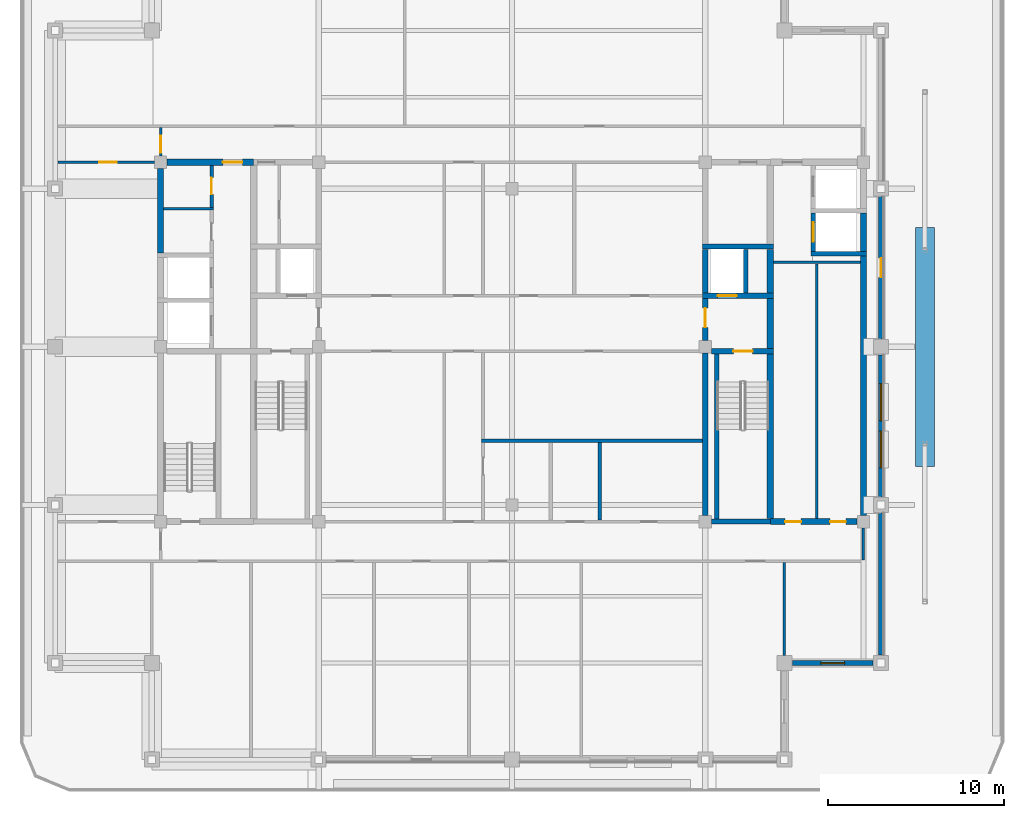
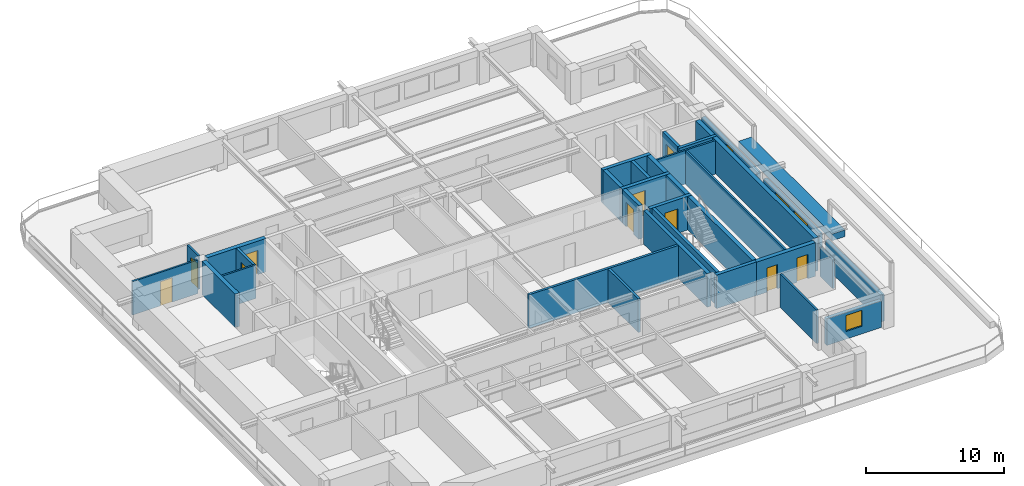
# One storey, part 7 of 14: 34 walls, 11 doors, 3 windows, 14 openings.
"""IFC4 building model written with IfcOpenShell, lengths in metres."""

from ifc_helpers import new_model, si_unit, direction, frame, frame_2d, origin, place, context, subcontext, project, spatial, rectangle, extrude, material, layer, layer_set, type_object, element, fill, save


model = new_model("IFC4")

# Units and contexts
model_context = context("Model", 3, precision=1e-05, world=origin(), true_north=direction((0.0, 1.0)))
body_context = subcontext(model_context, "Body", "Model", "MODEL_VIEW")
ifc_project = project(units=[si_unit("LENGTHUNIT", "METRE"), si_unit("AREAUNIT", "SQUARE_METRE"), si_unit("VOLUMEUNIT", "CUBIC_METRE"), si_unit("PLANEANGLEUNIT", "RADIAN"), si_unit("MASSUNIT", "GRAM", prefix="KILO")], contexts=[model_context])

# Site, building, storey
site_placement = place(None, origin())
site = spatial("IfcSite", under=ifc_project, at=site_placement, CompositionType="ELEMENT")
building_placement = place(site_placement, origin())
building = spatial("IfcBuilding", under=site, at=building_placement, Name="Zulmaris Gate Convention Tower", CompositionType="ELEMENT")
storey_placement = place(building_placement, frame((0.0, 0.0, 254.429931640625)))
storey = spatial("IfcBuildingStorey", under=building, at=storey_placement, Name="L67", CompositionType="ELEMENT", Elevation=254.429931640625)

# Walls
ifc_material_1 = material(Name="Concrete C50/60", Category="concrete")
ifc_layer_1 = layer(ifc_material_1, 0.25, Name="Concrete C50/60")
ifc_layer_set_1 = layer_set([ifc_layer_1], Name="Concrete C50/60")
wall_type_1 = type_object("IfcWallType", Name="CORE-250", PredefinedType="SOLIDWALL", material=ifc_layer_set_1)
wall_1_placement = place(storey_placement, frame((17.02490234375, 5.300048828125, 0.0), z_axis=(0.0, 0.0, 1.0), x_axis=(1.0, 0.0, 0.0)))
element("IfcWall", 1, at=wall_1_placement, inside=storey, type_object=wall_type_1, Name="WL-L67-011", PredefinedType="SOLIDWALL", context=body_context, shape_type="SweptSolid", body=[
    extrude(rectangle(XDim=3.150146484375, YDim=0.25, at=frame_2d((1.5751953125, 0.0))), origin(), (0.0, 0.0, 1.0), 2.97998046875),
])
wall_2_placement = place(storey_placement, frame((11.64990234375, -9.798095703125, 0.0), z_axis=(0.0, 0.0, 1.0), x_axis=(0.0, 1.0, 0.0)))
element("IfcWall", 2, at=wall_2_placement, inside=storey, type_object=wall_type_1, Name="WL-L67-051", PredefinedType="SOLIDWALL", context=body_context, shape_type="SweptSolid", body=[
    extrude(rectangle(XDim=9.39599609375, YDim=0.25, at=frame_2d((4.697998046875, 0.0))), origin(), (0.0, 0.0, 1.0), 2.97998046875),
])
wall_3_placement = place(storey_placement, frame((13.300048828125, 3.052001953125, 0.0), z_axis=(0.0, 0.0, 1.0), x_axis=(0.0, 1.0, 0.0)))
element("IfcWall", 3, at=wall_3_placement, inside=storey, type_object=wall_type_1, Name="WL-L67-052", PredefinedType="SOLIDWALL", context=body_context, shape_type="SweptSolid", body=[
    extrude(rectangle(XDim=2.49609375, YDim=0.25, at=frame_2d((1.248046875, 0.0))), origin(), (0.0, 0.0, 1.0), 2.97998046875),
])

# Wall, opening, door
wall_4_placement = place(storey_placement, frame((17.14990234375, 5.427001953125, 0.0), z_axis=(0.0, 0.0, 1.0), x_axis=(0.0, 1.0, 0.0)))
wall_4 = element("IfcWall", 4, at=wall_4_placement, inside=storey, type_object=wall_type_1, Name="WL-L67-057", PredefinedType="SOLIDWALL", context=body_context, shape_type="SweptSolid", body=[
    extrude(rectangle(XDim=2.196044921875, YDim=0.25, at=frame_2d((1.09814453125, 0.0))), origin(), (0.0, 0.0, 1.0), 2.97998046875),
])
opening_1_placement = place(wall_4_placement, frame((0.548095703125, 0.0, 0.0)))
opening_1 = element("IfcOpeningElement", 5, at=opening_1_placement, cuts=wall_4, Name="Opening D-06", PredefinedType="OPENING", context=body_context, shape_type="SweptSolid", body=[
    extrude(rectangle(XDim=1.10009765625, YDim=2.199951171875, at=frame_2d((0.550048828125, 1.10009765625))), frame((0.0, 0.135009765625, 0.0), z_axis=(0.0, -1.0, 0.0), x_axis=(1.0, 0.0, 0.0)), (0.0, 0.0, 1.0), 0.27001953125),
])
ifc_material_2 = material(Name="Brushed Stainless Steel", Category="steel")
door_type_1 = type_object("IfcDoorType", Name="LD-1100", OperationType="NOTDEFINED", PredefinedType="DOOR", material=ifc_material_2)
door_1_placement = place(opening_1_placement, origin())
door_1 = element("IfcDoor", 6, at=door_1_placement, inside=storey, type_object=door_type_1, Name="L67 Lift Landing Door HP-01 16", OperationType="SLIDING_TO_RIGHT", OverallHeight=2.199951171875, OverallWidth=1.10009765625, PredefinedType="DOOR", context=body_context, shape_type="SweptSolid", body=[
    extrude(rectangle(XDim=1.10009765625, YDim=2.199951171875, at=frame_2d((0.550048828125, 1.10009765625))), frame((0.0, 0.02490234375, 0.0), z_axis=(0.0, -1.0, 0.0), x_axis=(1.0, 0.0, 0.0)), (0.0, 0.0, 1.0), 0.050048828125),
])
fill(opening_1, door_1)

# Wall
ifc_layer_2 = layer(ifc_material_1, 0.300048828125, Name="Concrete C50/60")
ifc_layer_set_2 = layer_set([ifc_layer_2], Name="Concrete C50/60")
wall_type_2 = type_object("IfcWallType", Name="CORE-300", PredefinedType="SHEAR", material=ifc_layer_set_2)
wall_5_placement = place(storey_placement, frame((11.35400390625, -9.949951171875, 0.0), z_axis=(0.0, 0.0, 1.0), x_axis=(1.0, 0.0, 0.0)))
element("IfcWall", 7, at=wall_5_placement, inside=storey, type_object=wall_type_2, Name="WL-L67-003", PredefinedType="SHEAR", context=body_context, shape_type="SweptSolid", body=[
    extrude(rectangle(XDim=3.345947265625, YDim=0.300048828125, at=frame_2d((1.6728515625, 0.0))), origin(), (0.0, 0.0, 1.0), 2.97998046875),
])

# Wall, opening, door
wall_6_placement = place(storey_placement, frame((11.35400390625, -0.25, 0.0), z_axis=(0.0, 0.0, 1.0), x_axis=(1.0, 0.0, 0.0)))
wall_6 = element("IfcWall", 8, at=wall_6_placement, inside=storey, type_object=wall_type_2, Name="WL-L67-006", PredefinedType="SHEAR", context=body_context, shape_type="SweptSolid", body=[
    extrude(rectangle(XDim=3.52099609375, YDim=0.300048828125, at=frame_2d((1.760498046875, 0.0))), origin(), (0.0, 0.0, 1.0), 2.97998046875),
])
opening_2_placement = place(wall_6_placement, frame((1.24609375, 0.0, 0.0)))
opening_2 = element("IfcOpeningElement", 9, at=opening_2_placement, cuts=wall_6, Name="Opening D-08", PredefinedType="OPENING", context=body_context, shape_type="SweptSolid", body=[
    extrude(rectangle(XDim=1.10009765625, YDim=2.14990234375, at=frame_2d((0.550048828125, 1.074951171875))), frame((0.0, 0.16015625, 0.0), z_axis=(0.0, -1.0, 0.0), x_axis=(1.0, 0.0, 0.0)), (0.0, 0.0, 1.0), 0.320068359375),
])
ifc_material_3 = material(Name="Fire-Rated Steel", Category="steel")
door_type_2 = type_object("IfcDoorType", Name="DR-1100-FD", OperationType="NOTDEFINED", PredefinedType="DOOR", material=ifc_material_3)
door_2_placement = place(opening_2_placement, origin())
door_2 = element("IfcDoor", 10, at=door_2_placement, inside=storey, type_object=door_type_2, Name="L67 Exit Stair ST-2 Door 04", OperationType="SINGLE_SWING_RIGHT", OverallHeight=2.14990234375, OverallWidth=1.10009765625, PredefinedType="DOOR", context=body_context, shape_type="SweptSolid", body=[
    extrude(rectangle(XDim=1.10009765625, YDim=2.14990234375, at=frame_2d((0.550048828125, 1.074951171875))), frame((0.0, 0.02490234375, 0.0), z_axis=(0.0, -1.0, 0.0), x_axis=(1.0, 0.0, 0.0)), (0.0, 0.0, 1.0), 0.050048828125),
])
fill(opening_2, door_2)

wall_7_placement = place(storey_placement, frame((10.85009765625, 2.89990234375, 0.0), z_axis=(0.0, 0.0, 1.0), x_axis=(1.0, 0.0, 0.0)))
wall_7 = element("IfcWall", 11, at=wall_7_placement, inside=storey, type_object=wall_type_2, Name="WL-L67-009", PredefinedType="SHEAR", context=body_context, shape_type="SweptSolid", body=[
    extrude(rectangle(XDim=4.02490234375, YDim=0.300048828125, at=frame_2d((2.012451171875, 0.0))), origin(), (0.0, 0.0, 1.0), 2.97998046875),
])
opening_3_placement = place(wall_7_placement, frame((0.85009765625, 0.0, 0.0)))
opening_3 = element("IfcOpeningElement", 12, at=opening_3_placement, cuts=wall_7, Name="Opening D-06", PredefinedType="OPENING", context=body_context, shape_type="SweptSolid", body=[
    extrude(rectangle(XDim=1.10009765625, YDim=2.199951171875, at=frame_2d((0.550048828125, 1.10009765625))), frame((0.0, 0.16015625, 0.0), z_axis=(0.0, -1.0, 0.0), x_axis=(1.0, 0.0, 0.0)), (0.0, 0.0, 1.0), 0.320068359375),
])
door_3_placement = place(opening_3_placement, origin())
door_3 = element("IfcDoor", 13, at=door_3_placement, inside=storey, type_object=door_type_1, Name="L67 Lift Landing Door LF-02 06", OperationType="SLIDING_TO_RIGHT", OverallHeight=2.199951171875, OverallWidth=1.10009765625, PredefinedType="DOOR", context=body_context, shape_type="SweptSolid", body=[
    extrude(rectangle(XDim=1.10009765625, YDim=2.199951171875, at=frame_2d((0.550048828125, 1.10009765625))), frame((0.0, 0.02490234375, 0.0), z_axis=(0.0, -1.0, 0.0), x_axis=(1.0, 0.0, 0.0)), (0.0, 0.0, 1.0), 0.050048828125),
])
fill(opening_3, door_3)

# Walls
wall_8_placement = place(storey_placement, frame((10.85009765625, 5.699951171875, 0.0), z_axis=(0.0, 0.0, 1.0), x_axis=(1.0, 0.0, 0.0)))
element("IfcWall", 14, at=wall_8_placement, inside=storey, type_object=wall_type_2, Name="WL-L67-013", PredefinedType="SHEAR", context=body_context, shape_type="SweptSolid", body=[
    extrude(rectangle(XDim=4.02490234375, YDim=0.300048828125, at=frame_2d((2.012451171875, 0.0))), origin(), (0.0, 0.0, 1.0), 2.97998046875),
])
wall_9_placement = place(storey_placement, frame((11.0, -9.595947265625, 0.0), z_axis=(0.0, 0.0, 1.0), x_axis=(0.0, 1.0, 0.0)))
element("IfcWall", 15, at=wall_9_placement, inside=storey, type_object=wall_type_2, Name="WL-L67-047", PredefinedType="SHEAR", context=body_context, shape_type="SweptSolid", body=[
    extrude(rectangle(XDim=9.241943359375, YDim=0.300048828125, at=frame_2d((4.62109375, 0.0))), origin(), (0.0, 0.0, 1.0), 2.97998046875),
])

# Wall, opening, door
wall_10_placement = place(storey_placement, frame((11.0, 0.35400390625, 0.0), z_axis=(0.0, 0.0, 1.0), x_axis=(0.0, 1.0, 0.0)))
wall_10 = element("IfcWall", 16, at=wall_10_placement, inside=storey, type_object=wall_type_2, Name="WL-L67-048", PredefinedType="SHEAR", context=body_context, shape_type="SweptSolid", body=[
    extrude(rectangle(XDim=2.39404296875, YDim=0.300048828125, at=frame_2d((1.197021484375, 0.0))), origin(), (0.0, 0.0, 1.0), 2.97998046875),
])
opening_4_placement = place(wall_10_placement, frame((0.74609375, 0.0, 0.0)))
opening_4 = element("IfcOpeningElement", 17, at=opening_4_placement, cuts=wall_10, Name="Opening D-08", PredefinedType="OPENING", context=body_context, shape_type="SweptSolid", body=[
    extrude(rectangle(XDim=1.10009765625, YDim=2.14990234375, at=frame_2d((0.550048828125, 1.074951171875))), frame((0.0, 0.16015625, 0.0), z_axis=(0.0, -1.0, 0.0), x_axis=(1.0, 0.0, 0.0)), (0.0, 0.0, 1.0), 0.320068359375),
])
door_4_placement = place(opening_4_placement, origin())
door_4 = element("IfcDoor", 18, at=door_4_placement, inside=storey, type_object=door_type_2, Name="L67 East Firefighting Lobby Door 05", OperationType="SINGLE_SWING_LEFT", OverallHeight=2.14990234375, OverallWidth=1.10009765625, PredefinedType="DOOR", context=body_context, shape_type="SweptSolid", body=[
    extrude(rectangle(XDim=1.10009765625, YDim=2.14990234375, at=frame_2d((0.550048828125, 1.074951171875))), frame((0.0, 0.02490234375, 0.0), z_axis=(0.0, -1.0, 0.0), x_axis=(1.0, 0.0, 0.0)), (0.0, 0.0, 1.0), 0.050048828125),
])
fill(opening_4, door_4)

# Wall
wall_11_placement = place(storey_placement, frame((11.0, 3.052001953125, 0.0), z_axis=(0.0, 0.0, 1.0), x_axis=(0.0, 1.0, 0.0)))
element("IfcWall", 19, at=wall_11_placement, inside=storey, type_object=wall_type_2, Name="WL-L67-049", PredefinedType="SHEAR", context=body_context, shape_type="SweptSolid", body=[
    extrude(rectangle(XDim=2.49609375, YDim=0.300048828125, at=frame_2d((1.248046875, 0.0))), origin(), (0.0, 0.0, 1.0), 2.97998046875),
])

# Wall, openings, doors
ifc_material_4 = material(Name="Concrete C55/67", Category="concrete")
ifc_layer_3 = layer(ifc_material_4, 0.35009765625, Name="Concrete C55/67")
ifc_layer_set_3 = layer_set([ifc_layer_3], Name="Concrete C55/67")
wall_type_3 = type_object("IfcWallType", Name="CORE-350", PredefinedType="SHEAR", material=ifc_layer_set_3)
wall_12_placement = place(storey_placement, frame((14.699951171875, -9.949951171875, 0.0), z_axis=(0.0, 0.0, 1.0), x_axis=(1.0, 0.0, 0.0)))
wall_12 = element("IfcWall", 20, at=wall_12_placement, inside=storey, type_object=wall_type_3, Name="WL-L67-004", PredefinedType="SHEAR", context=body_context, shape_type="SweptSolid", body=[
    extrude(rectangle(XDim=4.946044921875, YDim=0.35009765625, at=frame_2d((2.47314453125, 0.0))), origin(), (0.0, 0.0, 1.0), 2.97998046875),
])
opening_5_placement = place(wall_12_placement, frame((0.85009765625, 0.0, 0.0)))
opening_5 = element("IfcOpeningElement", 21, at=opening_5_placement, cuts=wall_12, Name="Opening D-12", PredefinedType="OPENING", context=body_context, shape_type="SweptSolid", body=[
    extrude(rectangle(XDim=0.89990234375, YDim=2.14990234375, at=frame_2d((0.449951171875, 1.074951171875))), frame((0.0, 0.18505859375, 0.0), z_axis=(0.0, -1.0, 0.0), x_axis=(1.0, 0.0, 0.0)), (0.0, 0.0, 1.0), 0.3701171875),
])
opening_6_placement = place(wall_12_placement, frame((3.39990234375, 0.0, 0.0)))
opening_6 = element("IfcOpeningElement", 22, at=opening_6_placement, cuts=wall_12, Name="Opening D-12", PredefinedType="OPENING", context=body_context, shape_type="SweptSolid", body=[
    extrude(rectangle(XDim=0.89990234375, YDim=2.14990234375, at=frame_2d((0.449951171875, 1.074951171875))), frame((0.0, 0.18505859375, 0.0), z_axis=(0.0, -1.0, 0.0), x_axis=(1.0, 0.0, 0.0)), (0.0, 0.0, 1.0), 0.3701171875),
])
ifc_material_5 = material(Name="Fire-Rated Timber", Category="wood")
door_type_3 = type_object("IfcDoorType", Name="DR-900-FD", OperationType="NOTDEFINED", PredefinedType="DOOR", material=ifc_material_5)
door_5_placement = place(opening_5_placement, origin())
door_5 = element("IfcDoor", 23, at=door_5_placement, inside=storey, type_object=door_type_3, Name="L67 Service Pantry Door 19", OperationType="SINGLE_SWING_RIGHT", OverallHeight=2.14990234375, OverallWidth=0.89990234375, PredefinedType="DOOR", context=body_context, shape_type="SweptSolid", body=[
    extrude(rectangle(XDim=0.89990234375, YDim=2.14990234375, at=frame_2d((0.449951171875, 1.074951171875))), frame((0.0, 0.02490234375, 0.0), z_axis=(0.0, -1.0, 0.0), x_axis=(1.0, 0.0, 0.0)), (0.0, 0.0, 1.0), 0.050048828125),
])
fill(opening_5, door_5)
door_6_placement = place(opening_6_placement, origin())
door_6 = element("IfcDoor", 24, at=door_6_placement, inside=storey, type_object=door_type_3, Name="L67 Linen Store Door 20", OperationType="SINGLE_SWING_LEFT", OverallHeight=2.14990234375, OverallWidth=0.89990234375, PredefinedType="DOOR", context=body_context, shape_type="SweptSolid", body=[
    extrude(rectangle(XDim=0.89990234375, YDim=2.14990234375, at=frame_2d((0.449951171875, 1.074951171875))), frame((0.0, 0.02490234375, 0.0), z_axis=(0.0, -1.0, 0.0), x_axis=(1.0, 0.0, 0.0)), (0.0, 0.0, 1.0), 0.050048828125),
])
fill(opening_6, door_6)

# Wall, opening, door
wall_13_placement = place(storey_placement, frame((-19.64599609375, 10.5, 0.0), z_axis=(0.0, 0.0, 1.0), x_axis=(1.0, 0.0, 0.0)))
wall_13 = element("IfcWall", 25, at=wall_13_placement, inside=storey, type_object=wall_type_3, Name="WL-L67-015", PredefinedType="SHEAR", context=body_context, shape_type="SweptSolid", body=[
    extrude(rectangle(XDim=4.946044921875, YDim=0.35009765625, at=frame_2d((2.47314453125, 0.0))), origin(), (0.0, 0.0, 1.0), 2.97998046875),
])
opening_7_placement = place(wall_13_placement, frame((3.196044921875, 0.0, 0.0)))
opening_7 = element("IfcOpeningElement", 26, at=opening_7_placement, cuts=wall_13, Name="Opening D-08", PredefinedType="OPENING", context=body_context, shape_type="SweptSolid", body=[
    extrude(rectangle(XDim=1.10009765625, YDim=2.14990234375, at=frame_2d((0.550048828125, 1.074951171875))), frame((0.0, 0.18505859375, 0.0), z_axis=(0.0, -1.0, 0.0), x_axis=(1.0, 0.0, 0.0)), (0.0, 0.0, 1.0), 0.3701171875),
])
door_7_placement = place(opening_7_placement, origin())
door_7 = element("IfcDoor", 27, at=door_7_placement, inside=storey, type_object=door_type_2, Name="L67 High-Rise West Lift Lobby Door 13", OperationType="SINGLE_SWING_RIGHT", OverallHeight=2.14990234375, OverallWidth=1.10009765625, PredefinedType="DOOR", context=body_context, shape_type="SweptSolid", body=[
    extrude(rectangle(XDim=1.10009765625, YDim=2.14990234375, at=frame_2d((0.550048828125, 1.074951171875))), frame((0.0, 0.02490234375, 0.0), z_axis=(0.0, -1.0, 0.0), x_axis=(1.0, 0.0, 0.0)), (0.0, 0.0, 1.0), 0.050048828125),
])
fill(opening_7, door_7)

# Walls
wall_14_placement = place(storey_placement, frame((-20.0, 5.326904296875, 0.0), z_axis=(0.0, 0.0, 1.0), x_axis=(0.0, 1.0, 0.0)))
element("IfcWall", 28, at=wall_14_placement, inside=storey, type_object=wall_type_3, Name="WL-L67-033", PredefinedType="SHEAR", context=body_context, shape_type="SweptSolid", body=[
    extrude(rectangle(XDim=4.819091796875, YDim=0.35009765625, at=frame_2d((2.40966796875, 0.0))), origin(), (0.0, 0.0, 1.0), 2.97998046875),
])
wall_15_placement = place(storey_placement, frame((14.699951171875, -9.77294921875, 0.0), z_axis=(0.0, 0.0, 1.0), x_axis=(0.0, 1.0, 0.0)))
element("IfcWall", 29, at=wall_15_placement, inside=storey, type_object=wall_type_3, Name="WL-L67-053", PredefinedType="SHEAR", context=body_context, shape_type="SweptSolid", body=[
    extrude(rectangle(XDim=9.370849609375, YDim=0.35009765625, at=frame_2d((4.685546875, 0.0))), origin(), (0.0, 0.0, 1.0), 2.97998046875),
])
wall_16_placement = place(storey_placement, frame((14.699951171875, -0.097900390625, 0.0), z_axis=(0.0, 0.0, 1.0), x_axis=(0.0, 1.0, 0.0)))
element("IfcWall", 30, at=wall_16_placement, inside=storey, type_object=wall_type_3, Name="WL-L67-054", PredefinedType="SHEAR", context=body_context, shape_type="SweptSolid", body=[
    extrude(rectangle(XDim=2.845947265625, YDim=0.35009765625, at=frame_2d((1.4228515625, 0.0))), origin(), (0.0, 0.0, 1.0), 2.97998046875),
])
wall_17_placement = place(storey_placement, frame((14.699951171875, 3.052001953125, 0.0), z_axis=(0.0, 0.0, 1.0), x_axis=(0.0, 1.0, 0.0)))
element("IfcWall", 31, at=wall_17_placement, inside=storey, type_object=wall_type_3, Name="WL-L67-055", PredefinedType="SHEAR", context=body_context, shape_type="SweptSolid", body=[
    extrude(rectangle(XDim=2.49609375, YDim=0.35009765625, at=frame_2d((1.248046875, 0.0))), origin(), (0.0, 0.0, 1.0), 2.97998046875),
])
wall_18_placement = place(storey_placement, frame((20.0, -9.595947265625, 0.0), z_axis=(0.0, 0.0, 1.0), x_axis=(0.0, 1.0, 0.0)))
element("IfcWall", 32, at=wall_18_placement, inside=storey, type_object=wall_type_3, Name="WL-L67-059", PredefinedType="SHEAR", context=body_context, shape_type="SweptSolid", body=[
    extrude(rectangle(XDim=14.76904296875, YDim=0.35009765625, at=frame_2d((7.384521484375, 0.0))), origin(), (0.0, 0.0, 1.0), 2.97998046875),
])
wall_19_placement = place(storey_placement, frame((20.0, 5.427001953125, 0.0), z_axis=(0.0, 0.0, 1.0), x_axis=(0.0, 1.0, 0.0)))
element("IfcWall", 33, at=wall_19_placement, inside=storey, type_object=wall_type_3, Name="WL-L67-060", PredefinedType="SHEAR", context=body_context, shape_type="SweptSolid", body=[
    extrude(rectangle(XDim=2.196044921875, YDim=0.35009765625, at=frame_2d((1.09814453125, 0.0))), origin(), (0.0, 0.0, 1.0), 2.97998046875),
])
ifc_material_6 = material(Name="Gypsum Metal Stud Partition")
ifc_layer_4 = layer(ifc_material_6, 0.14990234375, Name="Gypsum Metal Stud Partition")
ifc_layer_set_4 = layer_set([ifc_layer_4], Name="Gypsum Metal Stud Partition")
wall_type_4 = type_object("IfcWallType", Name="PART-150", PredefinedType="PARTITIONING", material=ifc_layer_set_4)
wall_20_placement = place(storey_placement, frame((14.8779296875, 4.800048828125, 0.0), z_axis=(0.0, 0.0, 1.0), x_axis=(1.0, 0.0, 0.0)))
element("IfcWall", 34, at=wall_20_placement, inside=storey, type_object=wall_type_4, Name="WL-L67-025", PredefinedType="PARTITIONING", context=body_context, shape_type="SweptSolid", body=[
    extrude(rectangle(XDim=4.944091796875, YDim=0.14990234375, at=frame_2d((2.47216796875, 0.0))), origin(), (0.0, 0.0, 1.0), 2.97998046875),
])
wall_21_placement = place(storey_placement, frame((-19.822021484375, 7.85009765625, 0.0), z_axis=(0.0, 0.0, 1.0), x_axis=(1.0, 0.0, 0.0)))
element("IfcWall", 35, at=wall_21_placement, inside=storey, type_object=wall_type_4, Name="WL-L67-026", PredefinedType="PARTITIONING", context=body_context, shape_type="SweptSolid", body=[
    extrude(rectangle(XDim=2.822021484375, YDim=0.14990234375, at=frame_2d((1.4111328125, 0.0))), origin(), (0.0, 0.0, 1.0), 2.97998046875),
])

# Wall, opening, door
wall_22_placement = place(storey_placement, frame((-25.8349609375, 10.5, 0.0), z_axis=(0.0, 0.0, 1.0), x_axis=(1.0, 0.0, 0.0)))
wall_22 = element("IfcWall", 36, at=wall_22_placement, inside=storey, type_object=wall_type_4, Name="WL-L67-027", PredefinedType="PARTITIONING", context=body_context, shape_type="SweptSolid", body=[
    extrude(rectangle(XDim=5.47900390625, YDim=0.14990234375, at=frame_2d((2.739501953125, 0.0))), origin(), (0.0, 0.0, 1.0), 2.97998046875),
])
opening_8_placement = place(wall_22_placement, frame((2.3349609375, 0.0, 0.0)))
opening_8 = element("IfcOpeningElement", 37, at=opening_8_placement, cuts=wall_22, Name="Opening D-10", PredefinedType="OPENING", context=body_context, shape_type="SweptSolid", body=[
    extrude(rectangle(XDim=1.0, YDim=2.14990234375, at=frame_2d((0.5, 1.074951171875))), frame((0.0, 0.0849609375, 0.0), z_axis=(0.0, -1.0, 0.0), x_axis=(1.0, 0.0, 0.0)), (0.0, 0.0, 1.0), 0.169921875),
])
door_type_4 = type_object("IfcDoorType", Name="DR-1000-FD", OperationType="NOTDEFINED", PredefinedType="DOOR", material=ifc_material_5)
door_8_placement = place(opening_8_placement, origin())
door_8 = element("IfcDoor", 38, at=door_8_placement, inside=storey, type_object=door_type_4, Name="L67 West Workplace North Door 42", OperationType="SINGLE_SWING_LEFT", OverallHeight=2.14990234375, OverallWidth=1.0, PredefinedType="DOOR", context=body_context, shape_type="SweptSolid", body=[
    extrude(rectangle(XDim=1.0, YDim=2.14990234375, at=frame_2d((0.5, 1.074951171875))), frame((0.0, 0.02490234375, 0.0), z_axis=(0.0, -1.0, 0.0), x_axis=(1.0, 0.0, 0.0)), (0.0, 0.0, 1.0), 0.050048828125),
])
fill(opening_8, door_8)

wall_23_placement = place(storey_placement, frame((-20.0, 10.85595703125, 0.0), z_axis=(0.0, 0.0, 1.0), x_axis=(0.0, 1.0, 0.0)))
wall_23 = element("IfcWall", 39, at=wall_23_placement, inside=storey, type_object=wall_type_4, Name="WL-L67-064", PredefinedType="PARTITIONING", context=body_context, shape_type="SweptSolid", body=[
    extrude(rectangle(XDim=1.615966796875, YDim=0.14990234375, at=frame_2d((0.80810546875, 0.0))), origin(), (0.0, 0.0, 1.0), 2.97998046875),
])
opening_9_placement = place(wall_23_placement, frame((0.198974609375, 0.0, 0.0)))
opening_9 = element("IfcOpeningElement", 40, at=opening_9_placement, cuts=wall_23, Name="Opening D-11", PredefinedType="OPENING", context=body_context, shape_type="SweptSolid", body=[
    extrude(rectangle(XDim=0.949951171875, YDim=2.14990234375, at=frame_2d((0.47509765625, 1.074951171875))), frame((0.0, 0.0849609375, 0.0), z_axis=(0.0, -1.0, 0.0), x_axis=(1.0, 0.0, 0.0)), (0.0, 0.0, 1.0), 0.169921875),
])
door_type_5 = type_object("IfcDoorType", Name="DR-950-FD", OperationType="NOTDEFINED", PredefinedType="DOOR", material=ifc_material_5)
door_9_placement = place(opening_9_placement, origin())
door_9 = element("IfcDoor", 41, at=door_9_placement, inside=storey, type_object=door_type_5, Name="L67 NW Spur Door 40", OperationType="SINGLE_SWING_LEFT", OverallHeight=2.14990234375, OverallWidth=0.949951171875, PredefinedType="DOOR", context=body_context, shape_type="SweptSolid", body=[
    extrude(rectangle(XDim=0.949951171875, YDim=2.14990234375, at=frame_2d((0.47509765625, 1.074951171875))), frame((0.0, 0.02490234375, 0.0), z_axis=(0.0, -1.0, 0.0), x_axis=(1.0, 0.0, 0.0)), (0.0, 0.0, 1.0), 0.050048828125),
])
fill(opening_9, door_9)

# Walls
wall_24_placement = place(storey_placement, frame((15.5, -17.569091796875, 0.0), z_axis=(0.0, 0.0, 1.0), x_axis=(0.0, 1.0, 0.0)))
element("IfcWall", 42, at=wall_24_placement, inside=storey, type_object=wall_type_4, Name="WL-L67-081", PredefinedType="PARTITIONING", context=body_context, shape_type="SweptSolid", body=[
    extrude(rectangle(XDim=5.291015625, YDim=0.14990234375, at=frame_2d((2.6455078125, 0.0))), origin(), (0.0, 0.0, 1.0), 2.97998046875),
])
wall_25_placement = place(storey_placement, frame((17.35009765625, -9.77197265625, 0.0), z_axis=(0.0, 0.0, 1.0), x_axis=(0.0, 1.0, 0.0)))
element("IfcWall", 43, at=wall_25_placement, inside=storey, type_object=wall_type_4, Name="WL-L67-082", PredefinedType="PARTITIONING", context=body_context, shape_type="SweptSolid", body=[
    extrude(rectangle(XDim=14.493896484375, YDim=0.14990234375, at=frame_2d((7.2470703125, 0.0))), origin(), (0.0, 0.0, 1.0), 2.97998046875),
])
wall_26_placement = place(storey_placement, frame((20.0, -12.1220703125, 0.0), z_axis=(0.0, 0.0, 1.0), x_axis=(0.0, 1.0, 0.0)))
element("IfcWall", 44, at=wall_26_placement, inside=storey, type_object=wall_type_4, Name="WL-L67-083", PredefinedType="PARTITIONING", context=body_context, shape_type="SweptSolid", body=[
    extrude(rectangle(XDim=1.816162109375, YDim=0.14990234375, at=frame_2d((0.908203125, 0.0))), origin(), (0.0, 0.0, 1.0), 2.570068359375),
])
ifc_material_7 = material(Name="Autoclaved Aerated Concrete Block and Plasterboard", Category="concrete")
ifc_layer_5 = layer(ifc_material_7, 0.199951171875, Name="Autoclaved Aerated Concrete Block and Plasterboard")
ifc_layer_set_5 = layer_set([ifc_layer_5], Name="Autoclaved Aerated Concrete Block and Plasterboard")
wall_type_5 = type_object("IfcWallType", Name="PART-200", PredefinedType="PARTITIONING", material=ifc_layer_set_5)
wall_27_placement = place(storey_placement, frame((-1.72509765625, -5.35009765625, 0.0), z_axis=(0.0, 0.0, 1.0), x_axis=(1.0, 0.0, 0.0)))
element("IfcWall", 45, at=wall_27_placement, inside=storey, type_object=wall_type_5, Name="WL-L67-022", PredefinedType="PARTITIONING", context=body_context, shape_type="SweptSolid", body=[
    extrude(rectangle(XDim=12.572021484375, YDim=0.199951171875, at=frame_2d((6.2861328125, 0.0))), origin(), (0.0, 0.0, 1.0), 2.97998046875),
])

# Wall, opening, door
wall_28_placement = place(storey_placement, frame((-17.10009765625, 7.927978515625, 0.0), z_axis=(0.0, 0.0, 1.0), x_axis=(0.0, 1.0, 0.0)))
wall_28 = element("IfcWall", 46, at=wall_28_placement, inside=storey, type_object=wall_type_5, Name="WL-L67-066", PredefinedType="PARTITIONING", context=body_context, shape_type="SweptSolid", body=[
    extrude(rectangle(XDim=2.39404296875, YDim=0.199951171875, at=frame_2d((1.197021484375, 0.0))), origin(), (0.0, 0.0, 1.0), 2.97998046875),
])
opening_10_placement = place(wall_28_placement, frame((0.7470703125, 0.0, 0.0)))
opening_10 = element("IfcOpeningElement", 47, at=opening_10_placement, cuts=wall_28, Name="Opening D-11", PredefinedType="OPENING", context=body_context, shape_type="SweptSolid", body=[
    extrude(rectangle(XDim=0.949951171875, YDim=2.14990234375, at=frame_2d((0.47509765625, 1.074951171875))), frame((0.0, 0.10986328125, 0.0), z_axis=(0.0, -1.0, 0.0), x_axis=(1.0, 0.0, 0.0)), (0.0, 0.0, 1.0), 0.219970703125),
])
door_10_placement = place(opening_10_placement, origin())
door_10 = element("IfcDoor", 48, at=door_10_placement, inside=storey, type_object=door_type_5, Name="L67 Housekeeping Door 14", OperationType="SINGLE_SWING_LEFT", OverallHeight=2.14990234375, OverallWidth=0.949951171875, PredefinedType="DOOR", context=body_context, shape_type="SweptSolid", body=[
    extrude(rectangle(XDim=0.949951171875, YDim=2.14990234375, at=frame_2d((0.47509765625, 1.074951171875))), frame((0.0, 0.02490234375, 0.0), z_axis=(0.0, -1.0, 0.0), x_axis=(1.0, 0.0, 0.0)), (0.0, 0.0, 1.0), 0.050048828125),
])
fill(opening_10, door_10)

# Walls
wall_29_placement = place(storey_placement, frame((5.0, -9.8720703125, 0.0), z_axis=(0.0, 0.0, 1.0), x_axis=(0.0, 1.0, 0.0)))
element("IfcWall", 49, at=wall_29_placement, inside=storey, type_object=wall_type_5, Name="WL-L67-080", PredefinedType="PARTITIONING", context=body_context, shape_type="SweptSolid", body=[
    extrude(rectangle(XDim=4.419189453125, YDim=0.199951171875, at=frame_2d((2.20947265625, 0.0))), origin(), (0.0, 0.0, 1.0), 2.97998046875),
])
ifc_material_8 = material(Name="Botanical Green Glazed Precast Concrete C40/50", Category="concrete")
ifc_layer_6 = layer(ifc_material_8, 0.419921875, Name="Botanical Green Glazed Precast Concrete C40/50")
ifc_layer_set_6 = layer_set([ifc_layer_6], Name="Botanical Green Glazed Precast Concrete C40/50")
wall_type_6 = type_object("IfcWallType", Name="PLANTER-CURB-200", PredefinedType="PARAPET", material=ifc_layer_set_6)
wall_30_placement = place(storey_placement, frame((23.5, -6.800048828125, -0.0400390625), z_axis=(0.0, 0.0, 1.0), x_axis=(0.0, 1.0, 0.0)))
element("IfcWall", 50, at=wall_30_placement, inside=storey, type_object=wall_type_6, Name="L67 Block-End Terrace Tree Planter Bed", PredefinedType="PARAPET", context=body_context, shape_type="SweptSolid", body=[
    extrude(rectangle(XDim=13.60009765625, YDim=1.10009765625, at=frame_2d((6.800048828125, 0.0))), origin(), (0.0, 0.0, 1.0), 0.60009765625),
])

# Wall, opening, window
ifc_material_9 = material(Name="Precast concrete C40/50", Category="concrete")
ifc_layer_7 = layer(ifc_material_9, 0.300048828125, Name="Precast concrete C40/50")
ifc_layer_set_7 = layer_set([ifc_layer_7], Name="Precast concrete C40/50")
wall_type_7 = type_object("IfcWallType", Name="PRECAST-PIER-300", PredefinedType="STANDARD", material=ifc_layer_set_7)
wall_31_placement = place(storey_placement, frame((15.955078125, -18.0, 0.0), z_axis=(0.0, 0.0, 1.0), x_axis=(1.0, 0.0, 0.0)))
wall_31 = element("IfcWall", 51, at=wall_31_placement, inside=storey, type_object=wall_type_7, Name="EW-L67-NOTCH-SE2_0", PredefinedType="STANDARD", context=body_context, shape_type="SweptSolid", body=[
    extrude(rectangle(XDim=4.58984375, YDim=0.300048828125, at=frame_2d((2.294921875, 0.0))), origin(), (0.0, 0.0, 1.0), 2.3720703125),
])
opening_11_placement = place(wall_31_placement, frame((1.6201171875, 0.0, 0.679931640625)))
opening_11 = element("IfcOpeningElement", 52, at=opening_11_placement, cuts=wall_31, Name="Opening W-10", PredefinedType="OPENING", context=body_context, shape_type="SweptSolid", body=[
    extrude(rectangle(XDim=1.35009765625, YDim=1.419921875, at=frame_2d((0.675048828125, 0.7099609375))), frame((0.0, 0.16015625, 0.0), z_axis=(0.0, -1.0, 0.0), x_axis=(1.0, 0.0, 0.0)), (0.0, 0.0, 1.0), 0.320068359375),
])
ifc_material_10 = material(Name="Low-E Laminated Double Glazing in Aluminium Frame", Category="aluminium")
window_type_1 = type_object("IfcWindowType", Name="WIN-1350x2000", PartitioningType="SINGLE_PANEL", PredefinedType="WINDOW", material=ifc_material_10)
window_1_placement = place(opening_11_placement, origin())
window_1 = element("IfcWindow", 53, at=window_1_placement, inside=storey, type_object=window_type_1, Name="WN-EW-L67-NOTCH-SE2_0", OverallHeight=1.419921875, OverallWidth=1.35009765625, PartitioningType="SINGLE_PANEL", PredefinedType="WINDOW", context=body_context, shape_type="SweptSolid", body=[
    extrude(rectangle(XDim=1.35009765625, YDim=1.419921875, at=frame_2d((0.675048828125, 0.7099609375))), frame((0.0, 0.030029296875, 0.0), z_axis=(0.0, -1.0, 0.0), x_axis=(1.0, 0.0, 0.0)), (0.0, 0.0, 1.0), 0.06005859375),
])
fill(opening_11, window_1)

# Wall
wall_32_placement = place(storey_placement, frame((21.0, -17.544921875, 0.0), z_axis=(0.0, 0.0, 1.0), x_axis=(0.0, 1.0, 0.0)))
element("IfcWall", 54, at=wall_32_placement, inside=storey, type_object=wall_type_7, Name="EW-L67-E-0_0", PredefinedType="STANDARD", context=body_context, shape_type="SweptSolid", body=[
    extrude(rectangle(XDim=8.08984375, YDim=0.300048828125, at=frame_2d((4.044921875, 0.0))), origin(), (0.0, 0.0, 1.0), 2.3720703125),
])

# Wall, openings, windows
wall_33_placement = place(storey_placement, frame((21.0, -8.544921875, 0.0), z_axis=(0.0, 0.0, 1.0), x_axis=(0.0, 1.0, 0.0)))
wall_33 = element("IfcWall", 55, at=wall_33_placement, inside=storey, type_object=wall_type_7, Name="EW-L67-E-1_0", PredefinedType="STANDARD", context=body_context, shape_type="SweptSolid", body=[
    extrude(rectangle(XDim=8.08984375, YDim=0.300048828125, at=frame_2d((4.044921875, 0.0))), origin(), (0.0, 0.0, 1.0), 2.3720703125),
])
opening_12_placement = place(wall_33_placement, frame((1.64697265625, 0.0, 0.699951171875)))
opening_12 = element("IfcOpeningElement", 56, at=opening_12_placement, cuts=wall_33, Name="Opening W-05", PredefinedType="OPENING", context=body_context, shape_type="SweptSolid", body=[
    extrude(rectangle(XDim=2.10009765625, YDim=1.5, at=frame_2d((1.050048828125, 0.75))), frame((0.0, 0.16015625, 0.0), z_axis=(0.0, -1.0, 0.0), x_axis=(1.0, 0.0, 0.0)), (0.0, 0.0, 1.0), 0.320068359375),
])
opening_13_placement = place(wall_33_placement, frame((4.343017578125, 0.0, 0.699951171875)))
opening_13 = element("IfcOpeningElement", 57, at=opening_13_placement, cuts=wall_33, Name="Opening W-05", PredefinedType="OPENING", context=body_context, shape_type="SweptSolid", body=[
    extrude(rectangle(XDim=2.10009765625, YDim=1.5, at=frame_2d((1.050048828125, 0.75))), frame((0.0, 0.16015625, 0.0), z_axis=(0.0, -1.0, 0.0), x_axis=(1.0, 0.0, 0.0)), (0.0, 0.0, 1.0), 0.320068359375),
])
window_type_2 = type_object("IfcWindowType", Name="WIN-2100x2400", PartitioningType="SINGLE_PANEL", PredefinedType="WINDOW", material=ifc_material_10)
window_2_placement = place(opening_12_placement, origin())
window_2 = element("IfcWindow", 58, at=window_2_placement, inside=storey, type_object=window_type_2, Name="WN-EW-L67-E-1_0-1", OverallHeight=1.5, OverallWidth=2.10009765625, PartitioningType="SINGLE_PANEL", PredefinedType="WINDOW", context=body_context, shape_type="SweptSolid", body=[
    extrude(rectangle(XDim=2.10009765625, YDim=1.5, at=frame_2d((1.050048828125, 0.75))), frame((0.0, 0.030029296875, 0.0), z_axis=(0.0, -1.0, 0.0), x_axis=(1.0, 0.0, 0.0)), (0.0, 0.0, 1.0), 0.06005859375),
])
fill(opening_12, window_2)
window_3_placement = place(opening_13_placement, origin())
window_3 = element("IfcWindow", 59, at=window_3_placement, inside=storey, type_object=window_type_2, Name="WN-EW-L67-E-1_0-2", OverallHeight=1.5, OverallWidth=2.10009765625, PartitioningType="SINGLE_PANEL", PredefinedType="WINDOW", context=body_context, shape_type="SweptSolid", body=[
    extrude(rectangle(XDim=2.10009765625, YDim=1.5, at=frame_2d((1.050048828125, 0.75))), frame((0.0, 0.030029296875, 0.0), z_axis=(0.0, -1.0, 0.0), x_axis=(1.0, 0.0, 0.0)), (0.0, 0.0, 1.0), 0.06005859375),
])
fill(opening_13, window_3)

# Wall, opening, door
wall_34_placement = place(storey_placement, frame((21.0, 0.455078125, 0.0), z_axis=(0.0, 0.0, 1.0), x_axis=(0.0, 1.0, 0.0)))
wall_34 = element("IfcWall", 60, at=wall_34_placement, inside=storey, type_object=wall_type_7, Name="EW-L67-E-2_0", PredefinedType="STANDARD", context=body_context, shape_type="SweptSolid", body=[
    extrude(rectangle(XDim=8.08984375, YDim=0.300048828125, at=frame_2d((4.044921875, 0.0))), origin(), (0.0, 0.0, 1.0), 2.3720703125),
])
opening_14_placement = place(wall_34_placement, frame((3.4951171875, 0.0, 0.0)))
opening_14 = element("IfcOpeningElement", 61, at=opening_14_placement, cuts=wall_34, Name="Opening D-04", PredefinedType="OPENING", context=body_context, shape_type="SweptSolid", body=[
    extrude(rectangle(XDim=1.10009765625, YDim=2.14990234375, at=frame_2d((0.550048828125, 1.074951171875))), frame((0.0, 0.16015625, 0.0), z_axis=(0.0, -1.0, 0.0), x_axis=(1.0, 0.0, 0.0)), (0.0, 0.0, 1.0), 0.320068359375),
])
ifc_material_11 = material(Name="Anodised Aluminium and Laminated Glass", Category="aluminium")
door_type_6 = type_object("IfcDoorType", Name="ED-1100", OperationType="SINGLE_SWING_RIGHT", PredefinedType="DOOR", material=ifc_material_11)
door_11_placement = place(opening_14_placement, origin())
door_11 = element("IfcDoor", 62, at=door_11_placement, inside=storey, type_object=door_type_6, Name="L67 Block-End Planted Roof Terrace Door", OperationType="SINGLE_SWING_LEFT", OverallHeight=2.14990234375, OverallWidth=1.10009765625, PredefinedType="DOOR", context=body_context, shape_type="SweptSolid", body=[
    extrude(rectangle(XDim=1.10009765625, YDim=2.14990234375, at=frame_2d((0.550048828125, 1.074951171875))), frame((0.0, 0.02490234375, 0.0), z_axis=(0.0, -1.0, 0.0), x_axis=(1.0, 0.0, 0.0)), (0.0, 0.0, 1.0), 0.050048828125),
])
fill(opening_14, door_11)

save(model, "model.ifc")
